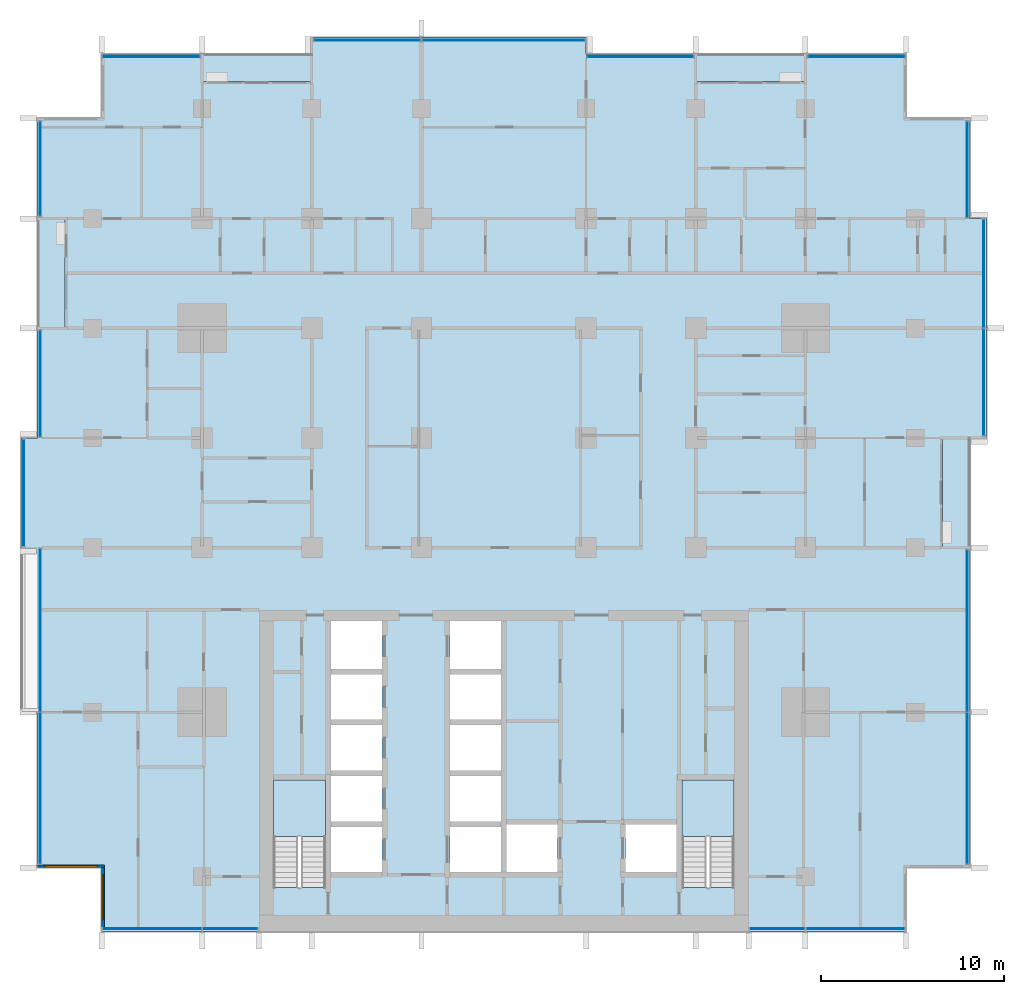
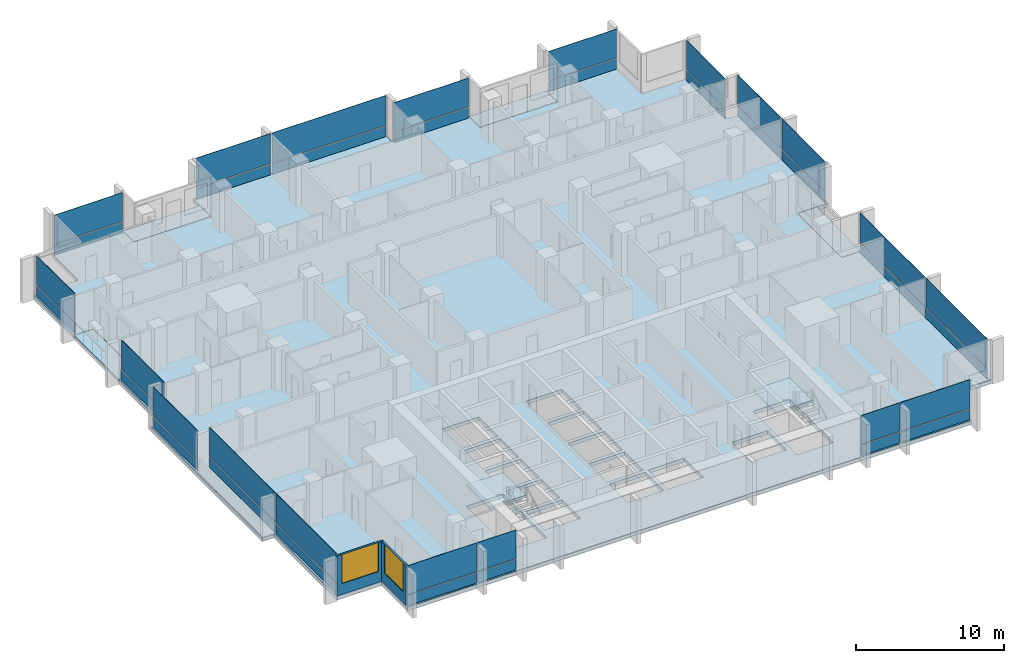
# One storey, part 6 of 18: 38 plates, 7 slabs, 2 walls, 2 windows, 2 openings, 17 elements without a shape of their own.
"""IFC4 building model written with IfcOpenShell, lengths in metres."""

from ifc_helpers import new_model, si_unit, direction, frame, frame_2d, origin, origin_2d, place, context, subcontext, project, spatial, polyline, rectangle, outline, extrude, material, layer, layer_set, type_object, element, fill, aggregate, save


model = new_model("IFC4")

# Units and contexts
model_context = context("Model", 3, precision=1e-05, world=origin(), true_north=direction((0.0, 1.0)))
body_context = subcontext(model_context, "Body", "Model", "MODEL_VIEW")
ifc_project = project(units=[si_unit("LENGTHUNIT", "METRE"), si_unit("AREAUNIT", "SQUARE_METRE"), si_unit("VOLUMEUNIT", "CUBIC_METRE"), si_unit("PLANEANGLEUNIT", "RADIAN"), si_unit("MASSUNIT", "GRAM", prefix="KILO")], contexts=[model_context])

# Site, building, storey
site_placement = place(None, origin())
site = spatial("IfcSite", under=ifc_project, at=site_placement, CompositionType="ELEMENT")
building_placement = place(site_placement, origin())
building = spatial("IfcBuilding", under=site, at=building_placement, Name="Finial Court Residences", CompositionType="ELEMENT")
storey_placement = place(building_placement, frame((0.0, 0.0, 106.300048828125)))
storey = spatial("IfcBuildingStorey", under=building, at=storey_placement, Name="L26", CompositionType="ELEMENT", Elevation=106.300048828125)

# Slabs
ifc_material_1 = material(Name="Concrete C35/45", Category="concrete")
ifc_layer_1 = layer(ifc_material_1, 0.199951171875)
ifc_layer_set_1 = layer_set([ifc_layer_1], Name="Balcony slab, Concrete C35/45 200")
slab_type_1 = type_object("IfcSlabType", Name="Balcony slab, Concrete C35/45 200", PredefinedType="FLOOR", material=ifc_layer_set_1)
slab_1_placement = place(storey_placement, frame((0.0, 0.0, -0.199951171875)))
element("IfcSlab", 1, at=slab_1_placement, inside=storey, type_object=slab_type_1, Name="Balcony L26-N2", PredefinedType="FLOOR", context=body_context, shape_type="SweptSolid", body=[
    extrude(outline(polyline([(-10.5, 21.0), (-10.5, 22.5), (-16.5, 22.5), (-16.5, 21.0), (-10.5, 21.0)])), origin(), (0.0, 0.0, 1.0), 0.199951171875),
])
slab_2_placement = place(storey_placement, frame((0.0, 0.0, -0.199951171875)))
element("IfcSlab", 2, at=slab_2_placement, inside=storey, type_object=slab_type_1, Name="Balcony L26-N6", PredefinedType="FLOOR", context=body_context, shape_type="SweptSolid", body=[
    extrude(outline(polyline([(16.5, 21.0), (16.5, 22.5), (10.5, 22.5), (10.5, 21.0), (16.5, 21.0)])), origin(), (0.0, 0.0, 1.0), 0.199951171875),
])
slab_3_placement = place(storey_placement, frame((0.0, 0.0, -0.199951171875)))
element("IfcSlab", 3, at=slab_3_placement, inside=storey, type_object=slab_type_1, Name="Balcony L26-E3", PredefinedType="FLOOR", context=body_context, shape_type="SweptSolid", body=[
    extrude(outline(polyline([(25.5, -4.5), (25.5, 1.5), (24.0, 1.5), (24.0, -4.5), (25.5, -4.5)])), origin(), (0.0, 0.0, 1.0), 0.199951171875),
])
slab_4_placement = place(storey_placement, frame((0.0, 0.0, -0.199951171875)))
element("IfcSlab", 4, at=slab_4_placement, inside=storey, type_object=slab_type_1, Name="Balcony L26-W5", PredefinedType="FLOOR", context=body_context, shape_type="SweptSolid", body=[
    extrude(outline(polyline([(-24.0, 7.5), (-24.0, 13.5), (-25.5, 13.5), (-25.5, 7.5), (-24.0, 7.5)])), origin(), (0.0, 0.0, 1.0), 0.199951171875),
])

# Curtain wall, plate
ifc_material_2 = material(Name="Bronze anodised aluminium", Category="aluminium")
curtain_wall_type = type_object("IfcCurtainWallType", Name="Unitised curtain wall, lower and middle zones", PredefinedType="NOTDEFINED", material=ifc_material_2)
curtain_wall_1_placement = place(storey_placement, origin())
curtain_wall_1 = element("IfcCurtainWall", 5, at=curtain_wall_1_placement, inside=storey, type_object=curtain_wall_type, Name="E-L26-CW-N1", PredefinedType="NOTDEFINED")
ifc_layer_2 = layer(ifc_material_2, 0.0400390625)
ifc_layer_set_2 = layer_set([ifc_layer_2], Name="CW1 spandrel panel 40")
plate_type_1 = type_object("IfcPlateType", Name="CW1 spandrel panel 40", PredefinedType="CURTAIN_PANEL", material=ifc_layer_set_2)
plate_1_placement = place(storey_placement, frame((-19.28759765625, 22.35009765625, 0.0), z_axis=(0.0, 0.0, 1.0), x_axis=(1.0, 0.0, 0.0)))
plate_1 = element("IfcPlate", 6, at=plate_1_placement, type_object=plate_type_1, Name="CW1 spandrel 1.1", PredefinedType="CURTAIN_PANEL", context=body_context, shape_type="SweptSolid", body=[
    extrude(rectangle(XDim=5.294921875, YDim=0.0400390625, at=origin_2d()), origin(), (0.0, 0.0, 1.0), 0.867431640625),
])

curtain_wall_2_placement = place(storey_placement, origin())
curtain_wall_2 = element("IfcCurtainWall", 7, at=curtain_wall_2_placement, inside=storey, type_object=curtain_wall_type, Name="E-L26-CW-N2", PredefinedType="NOTDEFINED")
plate_2_placement = place(storey_placement, frame((-7.46240234375, 23.25, 0.0), z_axis=(0.0, 0.0, 1.0), x_axis=(1.0, 0.0, 0.0)))
plate_2 = element("IfcPlate", 8, at=plate_2_placement, type_object=plate_type_1, Name="CW1 spandrel 1.1", PredefinedType="CURTAIN_PANEL", context=body_context, shape_type="SweptSolid", body=[
    extrude(rectangle(XDim=5.794921875, YDim=0.0400390625, at=origin_2d()), origin(), (0.0, 0.0, 1.0), 0.867431640625),
])

curtain_wall_3_placement = place(storey_placement, origin())
curtain_wall_3 = element("IfcCurtainWall", 9, at=curtain_wall_3_placement, inside=storey, type_object=curtain_wall_type, Name="E-L26-CW-N3", PredefinedType="NOTDEFINED")
plate_3_placement = place(storey_placement, frame((0.0, 23.25, 0.0), z_axis=(0.0, 0.0, 1.0), x_axis=(1.0, 0.0, 0.0)))
plate_3 = element("IfcPlate", 10, at=plate_3_placement, type_object=plate_type_1, Name="CW1 spandrel 1.1", PredefinedType="CURTAIN_PANEL", context=body_context, shape_type="SweptSolid", body=[
    extrude(rectangle(XDim=8.8701171875, YDim=0.0400390625, at=origin_2d()), origin(), (0.0, 0.0, 1.0), 0.867431640625),
])

curtain_wall_4_placement = place(storey_placement, origin())
curtain_wall_4 = element("IfcCurtainWall", 11, at=curtain_wall_4_placement, inside=storey, type_object=curtain_wall_type, Name="E-L26-CW-N4", PredefinedType="NOTDEFINED")
plate_4_placement = place(storey_placement, frame((7.46240234375, 22.35009765625, 0.0), z_axis=(0.0, 0.0, 1.0), x_axis=(1.0, 0.0, 0.0)))
plate_4 = element("IfcPlate", 12, at=plate_4_placement, type_object=plate_type_1, Name="CW1 spandrel 1.1", PredefinedType="CURTAIN_PANEL", context=body_context, shape_type="SweptSolid", body=[
    extrude(rectangle(XDim=5.794921875, YDim=0.0400390625, at=origin_2d()), origin(), (0.0, 0.0, 1.0), 0.867431640625),
])

curtain_wall_5_placement = place(storey_placement, origin())
curtain_wall_5 = element("IfcCurtainWall", 13, at=curtain_wall_5_placement, inside=storey, type_object=curtain_wall_type, Name="E-L26-CW-N5", PredefinedType="NOTDEFINED")
plate_5_placement = place(storey_placement, frame((19.28759765625, 22.35009765625, 0.0), z_axis=(0.0, 0.0, 1.0), x_axis=(1.0, 0.0, 0.0)))
plate_5 = element("IfcPlate", 14, at=plate_5_placement, type_object=plate_type_1, Name="CW1 spandrel 1.1", PredefinedType="CURTAIN_PANEL", context=body_context, shape_type="SweptSolid", body=[
    extrude(rectangle(XDim=5.294921875, YDim=0.0400390625, at=origin_2d()), origin(), (0.0, 0.0, 1.0), 0.867431640625),
])

# Curtain wall, plates
curtain_wall_6_placement = place(storey_placement, origin())
curtain_wall_6 = element("IfcCurtainWall", 15, at=curtain_wall_6_placement, inside=storey, type_object=curtain_wall_type, Name="E-L26-CW-E6", PredefinedType="NOTDEFINED")
plate_6_placement = place(storey_placement, frame((25.35009765625, -17.65869140625, 0.0), z_axis=(0.0, 0.0, 1.0), x_axis=(0.0, 1.0, 0.0)))
plate_6 = element("IfcPlate", 16, at=plate_6_placement, type_object=plate_type_1, Name="CW1 spandrel 1.1", PredefinedType="CURTAIN_PANEL", context=body_context, shape_type="SweptSolid", body=[
    extrude(rectangle(XDim=8.25244140625, YDim=0.0400390625, at=origin_2d()), origin(), (0.0, 0.0, 1.0), 0.867431640625),
])
plate_7_placement = place(storey_placement, frame((25.35009765625, -9.0537109375, 0.0), z_axis=(0.0, 0.0, 1.0), x_axis=(0.0, 1.0, 0.0)))
plate_7 = element("IfcPlate", 17, at=plate_7_placement, type_object=plate_type_1, Name="CW1 spandrel 2.1", PredefinedType="CURTAIN_PANEL", context=body_context, shape_type="SweptSolid", body=[
    extrude(rectangle(XDim=8.827392578125, YDim=0.0400390625, at=origin_2d()), origin(), (0.0, 0.0, 1.0), 0.867431640625),
])

# Curtain wall, plate
curtain_wall_7_placement = place(storey_placement, origin())
curtain_wall_7 = element("IfcCurtainWall", 18, at=curtain_wall_7_placement, inside=storey, type_object=curtain_wall_type, Name="E-L26-CW-E7", PredefinedType="NOTDEFINED")
plate_8_placement = place(storey_placement, frame((26.25, 4.53759765625, 0.0), z_axis=(0.0, 0.0, 1.0), x_axis=(0.0, 1.0, 0.0)))
plate_8 = element("IfcPlate", 19, at=plate_8_placement, type_object=plate_type_1, Name="CW1 spandrel 1.1", PredefinedType="CURTAIN_PANEL", context=body_context, shape_type="SweptSolid", body=[
    extrude(rectangle(XDim=5.794921875, YDim=0.0400390625, at=origin_2d()), origin(), (0.0, 0.0, 1.0), 0.867431640625),
])

curtain_wall_8_placement = place(storey_placement, origin())
curtain_wall_8 = element("IfcCurtainWall", 20, at=curtain_wall_8_placement, inside=storey, type_object=curtain_wall_type, Name="E-L26-CW-E8", PredefinedType="NOTDEFINED")
plate_9_placement = place(storey_placement, frame((26.25, 10.5, 0.0), z_axis=(0.0, 0.0, 1.0), x_axis=(0.0, 1.0, 0.0)))
plate_9 = element("IfcPlate", 21, at=plate_9_placement, type_object=plate_type_1, Name="CW1 spandrel 1.1", PredefinedType="CURTAIN_PANEL", context=body_context, shape_type="SweptSolid", body=[
    extrude(rectangle(XDim=5.8701171875, YDim=0.0400390625, at=origin_2d()), origin(), (0.0, 0.0, 1.0), 0.867431640625),
])

curtain_wall_9_placement = place(storey_placement, origin())
curtain_wall_9 = element("IfcCurtainWall", 22, at=curtain_wall_9_placement, inside=storey, type_object=curtain_wall_type, Name="E-L26-CW-E9", PredefinedType="NOTDEFINED")
plate_10_placement = place(storey_placement, frame((25.35009765625, 16.175048828125, 0.0), z_axis=(0.0, 0.0, 1.0), x_axis=(0.0, 1.0, 0.0)))
plate_10 = element("IfcPlate", 23, at=plate_10_placement, type_object=plate_type_1, Name="CW1 spandrel 1.1", PredefinedType="CURTAIN_PANEL", context=body_context, shape_type="SweptSolid", body=[
    extrude(rectangle(XDim=5.219970703125, YDim=0.0400390625, at=origin_2d()), origin(), (0.0, 0.0, 1.0), 0.867431640625),
])

# Curtain wall, plates
curtain_wall_10_placement = place(storey_placement, origin())
curtain_wall_10 = element("IfcCurtainWall", 24, at=curtain_wall_10_placement, inside=storey, type_object=curtain_wall_type, Name="E-L26-CW-S10", PredefinedType="NOTDEFINED")
plate_11_placement = place(storey_placement, frame((-19.23388671875, -25.35009765625, 0.0), z_axis=(0.0, 0.0, 1.0), x_axis=(1.0, 0.0, 0.0)))
plate_11 = element("IfcPlate", 25, at=plate_11_placement, type_object=plate_type_1, Name="CW1 spandrel 1.1", PredefinedType="CURTAIN_PANEL", context=body_context, shape_type="SweptSolid", body=[
    extrude(rectangle(XDim=5.402587890625, YDim=0.0400390625, at=origin_2d()), origin(), (0.0, 0.0, 1.0), 0.867431640625),
])
plate_12_placement = place(storey_placement, frame((-14.96630859375, -25.35009765625, 0.0), z_axis=(0.0, 0.0, 1.0), x_axis=(1.0, 0.0, 0.0)))
plate_12 = element("IfcPlate", 26, at=plate_12_placement, type_object=plate_type_1, Name="CW1 spandrel 2.1", PredefinedType="CURTAIN_PANEL", context=body_context, shape_type="SweptSolid", body=[
    extrude(rectangle(XDim=3.00244140625, YDim=0.0400390625, at=origin_2d()), origin(), (0.0, 0.0, 1.0), 0.867431640625),
])

curtain_wall_11_placement = place(storey_placement, origin())
curtain_wall_11 = element("IfcCurtainWall", 27, at=curtain_wall_11_placement, inside=storey, type_object=curtain_wall_type, Name="E-L26-CW-S11", PredefinedType="NOTDEFINED")
plate_13_placement = place(storey_placement, frame((14.96630859375, -25.35009765625, 0.0), z_axis=(0.0, 0.0, 1.0), x_axis=(1.0, 0.0, 0.0)))
plate_13 = element("IfcPlate", 28, at=plate_13_placement, type_object=plate_type_1, Name="CW1 spandrel 1.1", PredefinedType="CURTAIN_PANEL", context=body_context, shape_type="SweptSolid", body=[
    extrude(rectangle(XDim=3.00244140625, YDim=0.0400390625, at=origin_2d()), origin(), (0.0, 0.0, 1.0), 0.867431640625),
])
plate_14_placement = place(storey_placement, frame((19.23388671875, -25.35009765625, 0.0), z_axis=(0.0, 0.0, 1.0), x_axis=(1.0, 0.0, 0.0)))
plate_14 = element("IfcPlate", 29, at=plate_14_placement, type_object=plate_type_1, Name="CW1 spandrel 2.1", PredefinedType="CURTAIN_PANEL", context=body_context, shape_type="SweptSolid", body=[
    extrude(rectangle(XDim=5.402587890625, YDim=0.0400390625, at=origin_2d()), origin(), (0.0, 0.0, 1.0), 0.867431640625),
])

curtain_wall_12_placement = place(storey_placement, origin())
curtain_wall_12 = element("IfcCurtainWall", 30, at=curtain_wall_12_placement, inside=storey, type_object=curtain_wall_type, Name="E-L26-CW-W12", PredefinedType="NOTDEFINED")
plate_15_placement = place(storey_placement, frame((-25.35009765625, -17.65869140625, 0.0), z_axis=(0.0, 0.0, 1.0), x_axis=(0.0, 1.0, 0.0)))
plate_15 = element("IfcPlate", 31, at=plate_15_placement, type_object=plate_type_1, Name="CW1 spandrel 1.1", PredefinedType="CURTAIN_PANEL", context=body_context, shape_type="SweptSolid", body=[
    extrude(rectangle(XDim=8.25244140625, YDim=0.0400390625, at=origin_2d()), origin(), (0.0, 0.0, 1.0), 0.867431640625),
])
plate_16_placement = place(storey_placement, frame((-25.35009765625, -9.01611328125, 0.0), z_axis=(0.0, 0.0, 1.0), x_axis=(0.0, 1.0, 0.0)))
plate_16 = element("IfcPlate", 32, at=plate_16_placement, type_object=plate_type_1, Name="CW1 spandrel 2.1", PredefinedType="CURTAIN_PANEL", context=body_context, shape_type="SweptSolid", body=[
    extrude(rectangle(XDim=8.902587890625, YDim=0.0400390625, at=origin_2d()), origin(), (0.0, 0.0, 1.0), 0.867431640625),
])

# Curtain wall, plate
curtain_wall_13_placement = place(storey_placement, origin())
curtain_wall_13 = element("IfcCurtainWall", 33, at=curtain_wall_13_placement, inside=storey, type_object=curtain_wall_type, Name="E-L26-CW-W13", PredefinedType="NOTDEFINED")
plate_17_placement = place(storey_placement, frame((-26.25, -1.5, 0.0), z_axis=(0.0, 0.0, 1.0), x_axis=(0.0, 1.0, 0.0)))
plate_17 = element("IfcPlate", 34, at=plate_17_placement, type_object=plate_type_1, Name="CW1 spandrel 1.1", PredefinedType="CURTAIN_PANEL", context=body_context, shape_type="SweptSolid", body=[
    extrude(rectangle(XDim=5.8701171875, YDim=0.0400390625, at=origin_2d()), origin(), (0.0, 0.0, 1.0), 0.867431640625),
])

curtain_wall_14_placement = place(storey_placement, origin())
curtain_wall_14 = element("IfcCurtainWall", 35, at=curtain_wall_14_placement, inside=storey, type_object=curtain_wall_type, Name="E-L26-CW-W14", PredefinedType="NOTDEFINED")
plate_18_placement = place(storey_placement, frame((-25.35009765625, 4.46240234375, 0.0), z_axis=(0.0, 0.0, 1.0), x_axis=(0.0, 1.0, 0.0)))
plate_18 = element("IfcPlate", 36, at=plate_18_placement, type_object=plate_type_1, Name="CW1 spandrel 1.1", PredefinedType="CURTAIN_PANEL", context=body_context, shape_type="SweptSolid", body=[
    extrude(rectangle(XDim=5.794921875, YDim=0.0400390625, at=origin_2d()), origin(), (0.0, 0.0, 1.0), 0.867431640625),
])

curtain_wall_15_placement = place(storey_placement, origin())
curtain_wall_15 = element("IfcCurtainWall", 37, at=curtain_wall_15_placement, inside=storey, type_object=curtain_wall_type, Name="E-L26-CW-W15", PredefinedType="NOTDEFINED")
plate_19_placement = place(storey_placement, frame((-25.35009765625, 16.21240234375, 0.0), z_axis=(0.0, 0.0, 1.0), x_axis=(0.0, 1.0, 0.0)))
plate_19 = element("IfcPlate", 38, at=plate_19_placement, type_object=plate_type_1, Name="CW1 spandrel 1.1", PredefinedType="CURTAIN_PANEL", context=body_context, shape_type="SweptSolid", body=[
    extrude(rectangle(XDim=5.14501953125, YDim=0.0400390625, at=origin_2d()), origin(), (0.0, 0.0, 1.0), 0.867431640625),
])

# Plate
ifc_material_3 = material(Name="Clear low-e glass", Category="glass")
ifc_layer_3 = layer(ifc_material_3, 0.031982421875)
ifc_layer_set_3 = layer_set([ifc_layer_3], Name="CW1 vision glass 32")
plate_type_2 = type_object("IfcPlateType", Name="CW1 vision glass 32", PredefinedType="CURTAIN_PANEL", material=ifc_layer_set_3)
plate_20_placement = place(storey_placement, frame((-19.28759765625, 22.35009765625, 0.9326171875), z_axis=(0.0, 0.0, 1.0), x_axis=(1.0, 0.0, 0.0)))
plate_20 = element("IfcPlate", 39, at=plate_20_placement, type_object=plate_type_2, Name="CW1 glass 1.2", PredefinedType="CURTAIN_PANEL", context=body_context, shape_type="SweptSolid", body=[
    extrude(rectangle(XDim=5.294921875, YDim=0.031982421875, at=origin_2d()), origin(), (0.0, 0.0, 1.0), 2.367431640625),
])

aggregate(curtain_wall_1, [plate_1, plate_20])

plate_21_placement = place(storey_placement, frame((-7.46240234375, 23.25, 0.9326171875), z_axis=(0.0, 0.0, 1.0), x_axis=(1.0, 0.0, 0.0)))
plate_21 = element("IfcPlate", 40, at=plate_21_placement, type_object=plate_type_2, Name="CW1 glass 1.2", PredefinedType="CURTAIN_PANEL", context=body_context, shape_type="SweptSolid", body=[
    extrude(rectangle(XDim=5.794921875, YDim=0.031982421875, at=origin_2d()), origin(), (0.0, 0.0, 1.0), 2.467529296875),
])

aggregate(curtain_wall_2, [plate_2, plate_21])

plate_22_placement = place(storey_placement, frame((0.0, 23.25, 0.9326171875), z_axis=(0.0, 0.0, 1.0), x_axis=(1.0, 0.0, 0.0)))
plate_22 = element("IfcPlate", 41, at=plate_22_placement, type_object=plate_type_2, Name="CW1 glass 1.2", PredefinedType="CURTAIN_PANEL", context=body_context, shape_type="SweptSolid", body=[
    extrude(rectangle(XDim=8.8701171875, YDim=0.031982421875, at=origin_2d()), origin(), (0.0, 0.0, 1.0), 2.467529296875),
])

aggregate(curtain_wall_3, [plate_3, plate_22])

plate_23_placement = place(storey_placement, frame((7.46240234375, 22.35009765625, 0.9326171875), z_axis=(0.0, 0.0, 1.0), x_axis=(1.0, 0.0, 0.0)))
plate_23 = element("IfcPlate", 42, at=plate_23_placement, type_object=plate_type_2, Name="CW1 glass 1.2", PredefinedType="CURTAIN_PANEL", context=body_context, shape_type="SweptSolid", body=[
    extrude(rectangle(XDim=5.794921875, YDim=0.031982421875, at=origin_2d()), origin(), (0.0, 0.0, 1.0), 2.367431640625),
])

aggregate(curtain_wall_4, [plate_4, plate_23])

plate_24_placement = place(storey_placement, frame((19.28759765625, 22.35009765625, 0.9326171875), z_axis=(0.0, 0.0, 1.0), x_axis=(1.0, 0.0, 0.0)))
plate_24 = element("IfcPlate", 43, at=plate_24_placement, type_object=plate_type_2, Name="CW1 glass 1.2", PredefinedType="CURTAIN_PANEL", context=body_context, shape_type="SweptSolid", body=[
    extrude(rectangle(XDim=5.294921875, YDim=0.031982421875, at=origin_2d()), origin(), (0.0, 0.0, 1.0), 2.367431640625),
])

aggregate(curtain_wall_5, [plate_5, plate_24])

plate_25_placement = place(storey_placement, frame((25.35009765625, -17.65869140625, 0.9326171875), z_axis=(0.0, 0.0, 1.0), x_axis=(0.0, 1.0, 0.0)))
plate_25 = element("IfcPlate", 44, at=plate_25_placement, type_object=plate_type_2, Name="CW1 glass 1.2", PredefinedType="CURTAIN_PANEL", context=body_context, shape_type="SweptSolid", body=[
    extrude(rectangle(XDim=8.25244140625, YDim=0.031982421875, at=origin_2d()), origin(), (0.0, 0.0, 1.0), 2.367431640625),
])

plate_26_placement = place(storey_placement, frame((25.35009765625, -9.0537109375, 0.9326171875), z_axis=(0.0, 0.0, 1.0), x_axis=(0.0, 1.0, 0.0)))
plate_26 = element("IfcPlate", 45, at=plate_26_placement, type_object=plate_type_2, Name="CW1 glass 2.2", PredefinedType="CURTAIN_PANEL", context=body_context, shape_type="SweptSolid", body=[
    extrude(rectangle(XDim=8.827392578125, YDim=0.031982421875, at=origin_2d()), origin(), (0.0, 0.0, 1.0), 2.367431640625),
])

aggregate(curtain_wall_6, [plate_6, plate_25, plate_7, plate_26])

plate_27_placement = place(storey_placement, frame((26.25, 4.53759765625, 0.9326171875), z_axis=(0.0, 0.0, 1.0), x_axis=(0.0, 1.0, 0.0)))
plate_27 = element("IfcPlate", 46, at=plate_27_placement, type_object=plate_type_2, Name="CW1 glass 1.2", PredefinedType="CURTAIN_PANEL", context=body_context, shape_type="SweptSolid", body=[
    extrude(rectangle(XDim=5.794921875, YDim=0.031982421875, at=origin_2d()), origin(), (0.0, 0.0, 1.0), 2.467529296875),
])

aggregate(curtain_wall_7, [plate_8, plate_27])

plate_28_placement = place(storey_placement, frame((26.25, 10.5, 0.9326171875), z_axis=(0.0, 0.0, 1.0), x_axis=(0.0, 1.0, 0.0)))
plate_28 = element("IfcPlate", 47, at=plate_28_placement, type_object=plate_type_2, Name="CW1 glass 1.2", PredefinedType="CURTAIN_PANEL", context=body_context, shape_type="SweptSolid", body=[
    extrude(rectangle(XDim=5.8701171875, YDim=0.031982421875, at=origin_2d()), origin(), (0.0, 0.0, 1.0), 2.467529296875),
])

aggregate(curtain_wall_8, [plate_9, plate_28])

plate_29_placement = place(storey_placement, frame((25.35009765625, 16.175048828125, 0.9326171875), z_axis=(0.0, 0.0, 1.0), x_axis=(0.0, 1.0, 0.0)))
plate_29 = element("IfcPlate", 48, at=plate_29_placement, type_object=plate_type_2, Name="CW1 glass 1.2", PredefinedType="CURTAIN_PANEL", context=body_context, shape_type="SweptSolid", body=[
    extrude(rectangle(XDim=5.219970703125, YDim=0.031982421875, at=origin_2d()), origin(), (0.0, 0.0, 1.0), 2.367431640625),
])

aggregate(curtain_wall_9, [plate_10, plate_29])

plate_30_placement = place(storey_placement, frame((-19.23388671875, -25.35009765625, 0.9326171875), z_axis=(0.0, 0.0, 1.0), x_axis=(1.0, 0.0, 0.0)))
plate_30 = element("IfcPlate", 49, at=plate_30_placement, type_object=plate_type_2, Name="CW1 glass 1.2", PredefinedType="CURTAIN_PANEL", context=body_context, shape_type="SweptSolid", body=[
    extrude(rectangle(XDim=5.402587890625, YDim=0.031982421875, at=origin_2d()), origin(), (0.0, 0.0, 1.0), 2.367431640625),
])

plate_31_placement = place(storey_placement, frame((-14.96630859375, -25.35009765625, 0.9326171875), z_axis=(0.0, 0.0, 1.0), x_axis=(1.0, 0.0, 0.0)))
plate_31 = element("IfcPlate", 50, at=plate_31_placement, type_object=plate_type_2, Name="CW1 glass 2.2", PredefinedType="CURTAIN_PANEL", context=body_context, shape_type="SweptSolid", body=[
    extrude(rectangle(XDim=3.00244140625, YDim=0.031982421875, at=origin_2d()), origin(), (0.0, 0.0, 1.0), 2.367431640625),
])

aggregate(curtain_wall_10, [plate_11, plate_30, plate_12, plate_31])

plate_32_placement = place(storey_placement, frame((14.96630859375, -25.35009765625, 0.9326171875), z_axis=(0.0, 0.0, 1.0), x_axis=(1.0, 0.0, 0.0)))
plate_32 = element("IfcPlate", 51, at=plate_32_placement, type_object=plate_type_2, Name="CW1 glass 1.2", PredefinedType="CURTAIN_PANEL", context=body_context, shape_type="SweptSolid", body=[
    extrude(rectangle(XDim=3.00244140625, YDim=0.031982421875, at=origin_2d()), origin(), (0.0, 0.0, 1.0), 2.367431640625),
])

plate_33_placement = place(storey_placement, frame((19.23388671875, -25.35009765625, 0.9326171875), z_axis=(0.0, 0.0, 1.0), x_axis=(1.0, 0.0, 0.0)))
plate_33 = element("IfcPlate", 52, at=plate_33_placement, type_object=plate_type_2, Name="CW1 glass 2.2", PredefinedType="CURTAIN_PANEL", context=body_context, shape_type="SweptSolid", body=[
    extrude(rectangle(XDim=5.402587890625, YDim=0.031982421875, at=origin_2d()), origin(), (0.0, 0.0, 1.0), 2.367431640625),
])

aggregate(curtain_wall_11, [plate_13, plate_32, plate_14, plate_33])

plate_34_placement = place(storey_placement, frame((-25.35009765625, -17.65869140625, 0.9326171875), z_axis=(0.0, 0.0, 1.0), x_axis=(0.0, 1.0, 0.0)))
plate_34 = element("IfcPlate", 53, at=plate_34_placement, type_object=plate_type_2, Name="CW1 glass 1.2", PredefinedType="CURTAIN_PANEL", context=body_context, shape_type="SweptSolid", body=[
    extrude(rectangle(XDim=8.25244140625, YDim=0.031982421875, at=origin_2d()), origin(), (0.0, 0.0, 1.0), 2.367431640625),
])

plate_35_placement = place(storey_placement, frame((-25.35009765625, -9.01611328125, 0.9326171875), z_axis=(0.0, 0.0, 1.0), x_axis=(0.0, 1.0, 0.0)))
plate_35 = element("IfcPlate", 54, at=plate_35_placement, type_object=plate_type_2, Name="CW1 glass 2.2", PredefinedType="CURTAIN_PANEL", context=body_context, shape_type="SweptSolid", body=[
    extrude(rectangle(XDim=8.902587890625, YDim=0.031982421875, at=origin_2d()), origin(), (0.0, 0.0, 1.0), 2.367431640625),
])

aggregate(curtain_wall_12, [plate_15, plate_34, plate_16, plate_35])

plate_36_placement = place(storey_placement, frame((-26.25, -1.5, 0.9326171875), z_axis=(0.0, 0.0, 1.0), x_axis=(0.0, 1.0, 0.0)))
plate_36 = element("IfcPlate", 55, at=plate_36_placement, type_object=plate_type_2, Name="CW1 glass 1.2", PredefinedType="CURTAIN_PANEL", context=body_context, shape_type="SweptSolid", body=[
    extrude(rectangle(XDim=5.8701171875, YDim=0.031982421875, at=origin_2d()), origin(), (0.0, 0.0, 1.0), 2.367431640625),
])

aggregate(curtain_wall_13, [plate_17, plate_36])

plate_37_placement = place(storey_placement, frame((-25.35009765625, 4.46240234375, 0.9326171875), z_axis=(0.0, 0.0, 1.0), x_axis=(0.0, 1.0, 0.0)))
plate_37 = element("IfcPlate", 56, at=plate_37_placement, type_object=plate_type_2, Name="CW1 glass 1.2", PredefinedType="CURTAIN_PANEL", context=body_context, shape_type="SweptSolid", body=[
    extrude(rectangle(XDim=5.794921875, YDim=0.031982421875, at=origin_2d()), origin(), (0.0, 0.0, 1.0), 2.367431640625),
])

aggregate(curtain_wall_14, [plate_18, plate_37])

plate_38_placement = place(storey_placement, frame((-25.35009765625, 16.21240234375, 0.9326171875), z_axis=(0.0, 0.0, 1.0), x_axis=(0.0, 1.0, 0.0)))
plate_38 = element("IfcPlate", 57, at=plate_38_placement, type_object=plate_type_2, Name="CW1 glass 1.2", PredefinedType="CURTAIN_PANEL", context=body_context, shape_type="SweptSolid", body=[
    extrude(rectangle(XDim=5.14501953125, YDim=0.031982421875, at=origin_2d()), origin(), (0.0, 0.0, 1.0), 2.367431640625),
])

aggregate(curtain_wall_15, [plate_19, plate_38])

# Stair, slab
ifc_material_4 = material(Name="Concrete C50/60", Category="concrete")
stair_type = type_object("IfcStairType", Name="Exit stair 22 risers of 163.6 mm", PredefinedType="HALF_TURN_STAIR", material=ifc_material_4)
stair_1_placement = place(storey_placement, origin())
stair_1 = element("IfcStair", 58, at=stair_1_placement, inside=storey, type_object=stair_type, Name="L26 Exit stair ST-1", PredefinedType="HALF_TURN_STAIR")
ifc_layer_4 = layer(ifc_material_4, 0.199951171875)
ifc_layer_set_4 = layer_set([ifc_layer_4], Name="Exit stair landing")
slab_type_2 = type_object("IfcSlabType", Name="Exit stair landing", PredefinedType="LANDING", material=ifc_layer_set_4)
slab_5_placement = place(storey_placement, frame((0.0, 0.0, 1.599853515625)))
slab_5 = element("IfcSlab", 59, at=slab_5_placement, type_object=slab_type_2, Name="ST-1 landing 1", PredefinedType="LANDING", context=body_context, shape_type="SweptSolid", body=[
    extrude(outline(polyline([(-9.75, -20.300048828125), (-9.75, -17.199951171875), (-12.60009765625, -17.199951171875), (-12.60009765625, -20.300048828125), (-9.75, -20.300048828125)])), origin(), (0.0, 0.0, 1.0), 0.2001953125),
])
aggregate(stair_1, [slab_5])

stair_2_placement = place(storey_placement, origin())
stair_2 = element("IfcStair", 60, at=stair_2_placement, inside=storey, type_object=stair_type, Name="L26 Exit stair ST-2", PredefinedType="HALF_TURN_STAIR")
slab_6_placement = place(storey_placement, frame((0.0, 0.0, 1.599853515625)))
slab_6 = element("IfcSlab", 61, at=slab_6_placement, type_object=slab_type_2, Name="ST-2 landing 1", PredefinedType="LANDING", context=body_context, shape_type="SweptSolid", body=[
    extrude(outline(polyline([(12.60009765625, -20.300048828125), (12.60009765625, -17.199951171875), (9.75, -17.199951171875), (9.75, -20.300048828125), (12.60009765625, -20.300048828125)])), origin(), (0.0, 0.0, 1.0), 0.2001953125),
])
aggregate(stair_2, [slab_6])

# Slab
ifc_material_5 = material(Name="Concrete C40/50", Category="concrete")
ifc_layer_5 = layer(ifc_material_5, 0.300048828125)
ifc_layer_set_5 = layer_set([ifc_layer_5], Name="Flat plate slab 300 Concrete C40/50")
slab_type_3 = type_object("IfcSlabType", Name="Flat plate slab 300 Concrete C40/50", PredefinedType="FLOOR", material=ifc_layer_set_5)
slab_7_placement = place(storey_placement, frame((0.0, 0.0, -0.300048828125)))
element("IfcSlab", 62, at=slab_7_placement, inside=storey, type_object=slab_type_3, Name="S:SLAB:L26", PredefinedType="FLOOR", context=body_context, shape_type="SweptSolid", body=[
    extrude(outline(polyline([(-26.39990234375, -13.5), (-26.39990234375, -4.5), (-26.39990234375, 1.5), (-25.5, 1.5), (-25.5, 7.5), (-24.0, 7.5), (-24.0, 13.5), (-25.5, 13.5), (-25.5, 19.0), (-22.0, 19.0), (-22.0, 22.5), (-16.5, 22.5), (-16.5, 21.0), (-10.5, 21.0), (-10.5, 22.5), (-10.5, 23.39990234375), (-4.5, 23.39990234375), (4.5, 23.39990234375), (4.5, 22.5), (10.5, 22.5), (10.5, 21.0), (16.5, 21.0), (16.5, 22.5), (22.0, 22.5), (22.0, 19.0), (25.5, 19.0), (25.5, 13.5), (26.39990234375, 13.5), (26.39990234375, 7.5), (26.39990234375, 1.5), (25.5, 1.5), (24.0, 1.5), (24.0, -4.5), (25.5, -4.5), (25.5, -22.0), (22.0, -22.0), (22.0, -25.5), (-22.0, -25.5), (-22.0, -22.0), (-25.5, -22.0), (-25.5, -13.5), (-26.39990234375, -13.5)]), holes=[polyline([(-6.64990234375, -19.77001953125), (-9.449951171875, -19.77001953125), (-9.449951171875, -22.25), (-6.64990234375, -22.25), (-6.64990234375, -19.77001953125)]), polyline([(-9.75, -17.199951171875), (-12.60009765625, -17.199951171875), (-12.60009765625, -23.09912109375), (-9.75, -23.09912109375), (-9.75, -17.199951171875)]), polyline([(-6.64990234375, -19.469970703125), (-6.64990234375, -16.989990234375), (-9.449951171875, -16.989990234375), (-9.449951171875, -19.469970703125), (-6.64990234375, -19.469970703125)]), polyline([(-6.64990234375, -16.68994140625), (-6.64990234375, -14.2099609375), (-9.449951171875, -14.2099609375), (-9.449951171875, -16.68994140625), (-6.64990234375, -16.68994140625)]), polyline([(-6.64990234375, -13.909912109375), (-6.64990234375, -11.429931640625), (-9.449951171875, -11.429931640625), (-9.449951171875, -13.909912109375), (-6.64990234375, -13.909912109375)]), polyline([(-6.64990234375, -11.1298828125), (-6.64990234375, -8.5), (-9.449951171875, -8.5), (-9.449951171875, -11.1298828125), (-6.64990234375, -11.1298828125)]), polyline([(-0.14990234375, -11.1298828125), (-0.14990234375, -8.5), (-2.949951171875, -8.5), (-2.949951171875, -11.1298828125), (-0.14990234375, -11.1298828125)]), polyline([(-0.14990234375, -19.77001953125), (-2.949951171875, -19.77001953125), (-2.949951171875, -22.25), (-0.14990234375, -22.25), (-0.14990234375, -19.77001953125)]), polyline([(2.949951171875, -22.25), (2.949951171875, -19.64990234375), (0.14990234375, -19.64990234375), (0.14990234375, -22.25), (2.949951171875, -22.25)]), polyline([(9.449951171875, -22.25), (9.449951171875, -19.64990234375), (6.64990234375, -19.64990234375), (6.64990234375, -22.25), (9.449951171875, -22.25)]), polyline([(12.60009765625, -17.199951171875), (9.75, -17.199951171875), (9.75, -23.09912109375), (12.60009765625, -23.09912109375), (12.60009765625, -17.199951171875)]), polyline([(-0.14990234375, -19.469970703125), (-0.14990234375, -16.989990234375), (-2.949951171875, -16.989990234375), (-2.949951171875, -19.469970703125), (-0.14990234375, -19.469970703125)]), polyline([(-0.14990234375, -16.68994140625), (-0.14990234375, -14.2099609375), (-2.949951171875, -14.2099609375), (-2.949951171875, -16.68994140625), (-0.14990234375, -16.68994140625)]), polyline([(-0.14990234375, -13.909912109375), (-0.14990234375, -11.429931640625), (-2.949951171875, -11.429931640625), (-2.949951171875, -13.909912109375), (-0.14990234375, -13.909912109375)])]), origin(), (0.0, 0.0, 1.0), 0.300048828125),
])

# Wall, opening, window
ifc_material_6 = material(Name="Natural limestone", Category="masonry")
ifc_layer_6 = layer(ifc_material_6, 0.14990234375)
ifc_layer_set_6 = layer_set([ifc_layer_6], Name="Limestone clad wall 150")
wall_type = type_object("IfcWallType", Name="Limestone clad wall 150", PredefinedType="SOLIDWALL", material=ifc_layer_set_6)
wall_1_placement = place(storey_placement, frame((-21.925048828125, -25.25, 0.0), z_axis=(0.0, 0.0, 1.0), x_axis=(0.0, 1.0, 0.0)))
wall_1 = element("IfcWall", 63, at=wall_1_placement, inside=storey, type_object=wall_type, Name="E-L26-NWW16", PredefinedType="SOLIDWALL", context=body_context, shape_type="SweptSolid", body=[
    extrude(rectangle(XDim=3.25, YDim=0.14990234375, at=frame_2d((1.625, 0.0))), origin(), (0.0, 0.0, 1.0), 3.300048828125),
])
opening_1_placement = place(wall_1_placement, frame((0.39990234375, 0.0, 0.89990234375)))
opening_1 = element("IfcOpeningElement", 64, at=opening_1_placement, cuts=wall_1, Name="Opening WE26-01", PredefinedType="OPENING", context=body_context, shape_type="SweptSolid", body=[
    extrude(rectangle(XDim=2.449951171875, YDim=2.39990234375, at=frame_2d((1.22509765625, 1.199951171875))), frame((0.0, 0.0849609375, 0.0), z_axis=(0.0, -1.0, 0.0), x_axis=(1.0, 0.0, 0.0)), (0.0, 0.0, 1.0), 0.169921875),
])
window_type_1 = type_object("IfcWindowType", Name="Corner window 2450 x 2400", PartitioningType="SINGLE_PANEL", PredefinedType="WINDOW", material=ifc_material_3)
window_1_placement = place(opening_1_placement, origin())
window_1 = element("IfcWindow", 65, at=window_1_placement, inside=storey, type_object=window_type_1, Name="E-L26-NWW16-W1", OverallHeight=2.39990234375, OverallWidth=2.449951171875, PartitioningType="SINGLE_PANEL", PredefinedType="WINDOW", context=body_context, shape_type="SweptSolid", body=[
    extrude(rectangle(XDim=2.449951171875, YDim=2.39990234375, at=frame_2d((1.22509765625, 1.199951171875))), frame((0.0, 0.030029296875, 0.0), z_axis=(0.0, -1.0, 0.0), x_axis=(1.0, 0.0, 0.0)), (0.0, 0.0, 1.0), 0.06005859375),
])
fill(opening_1, window_1)

wall_2_placement = place(storey_placement, frame((-21.85009765625, -21.925048828125, 0.0), z_axis=(0.0, 0.0, 1.0), x_axis=(-1.0, 0.0, 0.0)))
wall_2 = element("IfcWall", 66, at=wall_2_placement, inside=storey, type_object=wall_type, Name="E-L26-NWS17", PredefinedType="SOLIDWALL", context=body_context, shape_type="SweptSolid", body=[
    extrude(rectangle(XDim=3.64990234375, YDim=0.14990234375, at=frame_2d((1.824951171875, 0.0))), origin(), (0.0, 0.0, 1.0), 3.300048828125),
])
opening_2_placement = place(wall_2_placement, frame((0.39990234375, 0.0, 0.89990234375)))
opening_2 = element("IfcOpeningElement", 67, at=opening_2_placement, cuts=wall_2, Name="Opening WE26-02", PredefinedType="OPENING", context=body_context, shape_type="SweptSolid", body=[
    extrude(rectangle(XDim=2.85009765625, YDim=2.39990234375, at=frame_2d((1.425048828125, 1.199951171875))), frame((0.0, 0.0849609375, 0.0), z_axis=(0.0, -1.0, 0.0), x_axis=(1.0, 0.0, 0.0)), (0.0, 0.0, 1.0), 0.169921875),
])
window_type_2 = type_object("IfcWindowType", Name="Corner window 2850 x 2400", PartitioningType="SINGLE_PANEL", PredefinedType="WINDOW", material=ifc_material_3)
window_2_placement = place(opening_2_placement, origin())
window_2 = element("IfcWindow", 68, at=window_2_placement, inside=storey, type_object=window_type_2, Name="E-L26-NWS17-W1", OverallHeight=2.39990234375, OverallWidth=2.85009765625, PartitioningType="SINGLE_PANEL", PredefinedType="WINDOW", context=body_context, shape_type="SweptSolid", body=[
    extrude(rectangle(XDim=2.85009765625, YDim=2.39990234375, at=frame_2d((1.425048828125, 1.199951171875))), frame((0.0, 0.030029296875, 0.0), z_axis=(0.0, -1.0, 0.0), x_axis=(1.0, 0.0, 0.0)), (0.0, 0.0, 1.0), 0.06005859375),
])
fill(opening_2, window_2)

save(model, "model.ifc")
